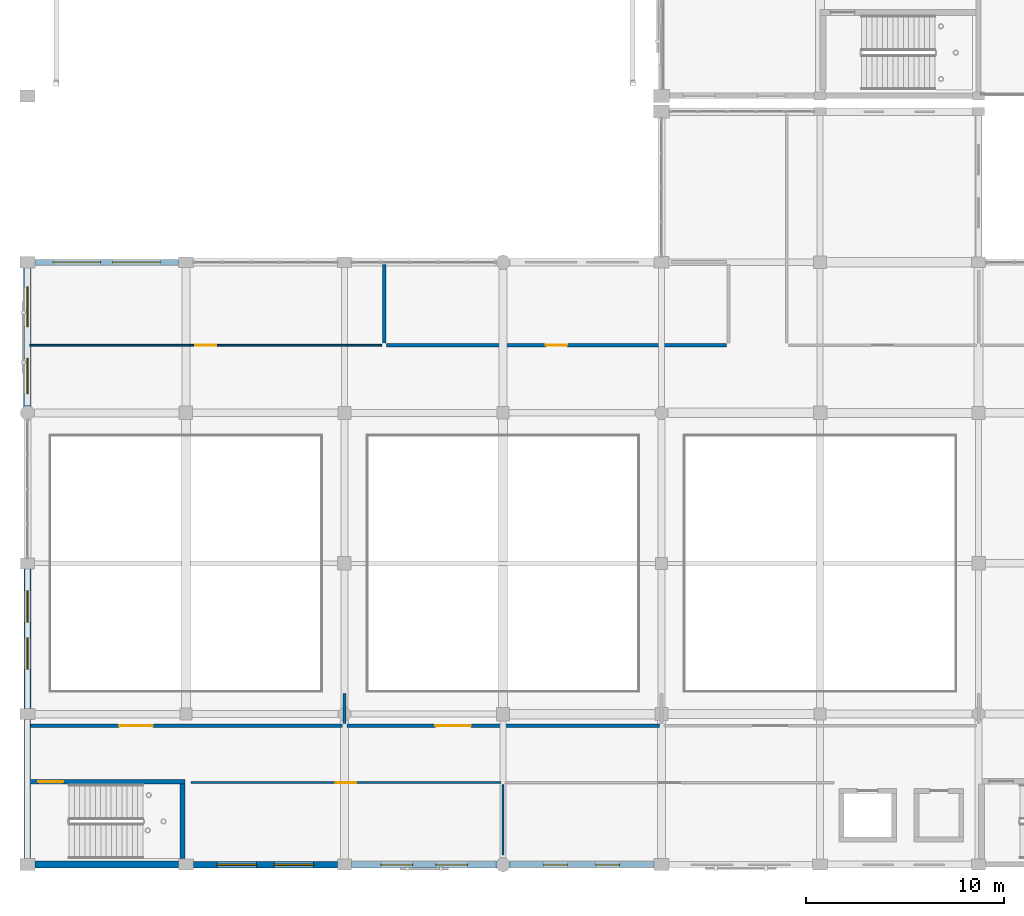
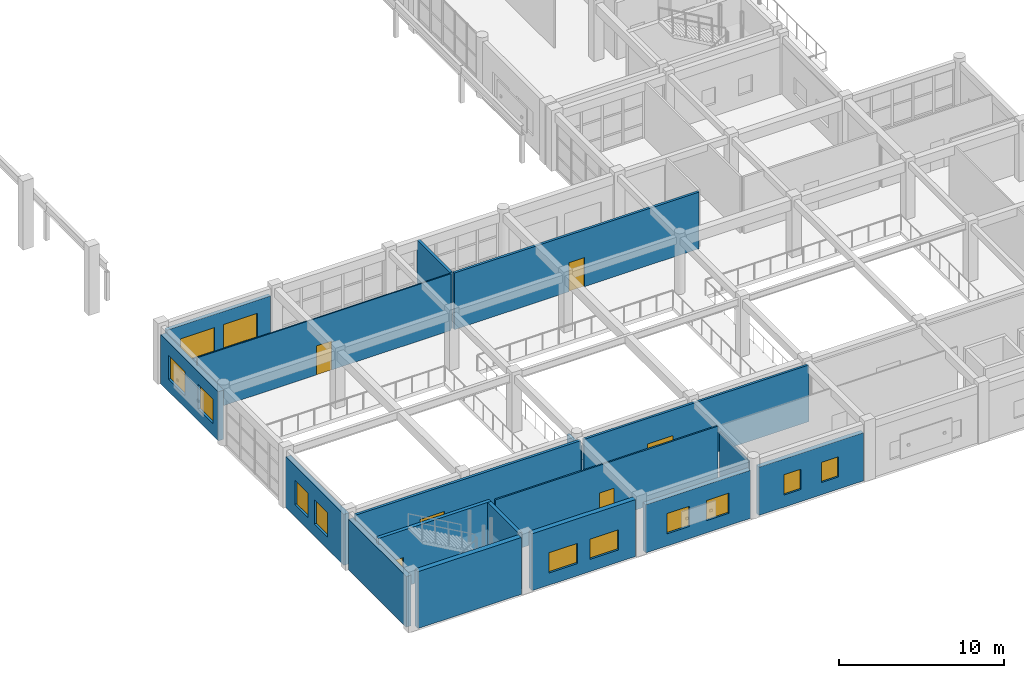
# One storey, part 124 of 160: 18 walls, 12 windows, 6 doors, 18 openings.
"""IFC4 building model written with IfcOpenShell, lengths in metres."""

from ifc_helpers import new_model, si_unit, direction, frame, frame_2d, origin, place, context, subcontext, project, spatial, rectangle, extrude, material, layer, layer_set, type_object, element, fill, save


model = new_model("IFC4")

# Units and contexts
model_context = context("Model", 3, precision=1e-05, world=origin(), true_north=direction((0.0, 1.0)))
body_context = subcontext(model_context, "Body", "Model", "MODEL_VIEW")
ifc_project = project(units=[si_unit("LENGTHUNIT", "METRE"), si_unit("AREAUNIT", "SQUARE_METRE"), si_unit("VOLUMEUNIT", "CUBIC_METRE"), si_unit("PLANEANGLEUNIT", "RADIAN"), si_unit("MASSUNIT", "GRAM", prefix="KILO")], contexts=[model_context])

# Site, building, storey
site_placement = place(None, origin())
site = spatial("IfcSite", under=ifc_project, at=site_placement, CompositionType="ELEMENT")
building_placement = place(site_placement, origin())
building = spatial("IfcBuilding", under=site, at=building_placement, Name="Kharva Crest Polytechnic", CompositionType="ELEMENT")
storey_placement = place(building_placement, frame((0.0, 0.0, 4.5)))
storey = spatial("IfcBuildingStorey", under=building, at=storey_placement, Name="L01", CompositionType="ELEMENT", Elevation=4.5)

# Wall, openings, windows
ifc_material_1 = material(Name="Kiln brick masonry", Category="masonry")
ifc_layer_1 = layer(ifc_material_1, 0.260009765625, Name="Kiln brick masonry")
ifc_layer_set_1 = layer_set([ifc_layer_1], Name="Kiln brick masonry")
wall_type_1 = type_object("IfcWallType", Name="WL-EXT-BRK-260", PredefinedType="SOLIDWALL", material=ifc_layer_set_1)
wall_1_placement = place(storey_placement, frame((7.6298828125, 30.39990234375, 0.0), z_axis=(0.0, 0.0, 1.0), x_axis=(-1.0, 0.0, 0.0)))
wall_1 = element("IfcWall", 1, at=wall_1_placement, inside=storey, type_object=wall_type_1, Name="L01 Exterior Brick Wall 150", PredefinedType="SOLIDWALL", context=body_context, shape_type="SweptSolid", body=[
    extrude(rectangle(XDim=7.259765625, YDim=0.260009765625, at=frame_2d((3.6298828125, 0.0))), origin(), (0.0, 0.0, 1.0), 3.669921875),
])
opening_1_placement = place(wall_1_placement, frame((0.927001953125, 0.0, 0.89990234375)))
opening_1 = element("IfcOpeningElement", 2, at=opening_1_placement, cuts=wall_1, Name="Opening W02", PredefinedType="OPENING", context=body_context, shape_type="SweptSolid", body=[
    extrude(rectangle(XDim=2.39990234375, YDim=1.800048828125, at=frame_2d((1.199951171875, 0.89990234375))), frame((0.0, 0.139892578125, 0.0), z_axis=(0.0, -1.0, 0.0), x_axis=(1.0, 0.0, 0.0)), (0.0, 0.0, 1.0), 0.280029296875),
])
opening_2_placement = place(wall_1_placement, frame((3.93310546875, 0.0, 0.89990234375)))
opening_2 = element("IfcOpeningElement", 3, at=opening_2_placement, cuts=wall_1, Name="Opening W02", PredefinedType="OPENING", context=body_context, shape_type="SweptSolid", body=[
    extrude(rectangle(XDim=2.39990234375, YDim=1.800048828125, at=frame_2d((1.199951171875, 0.89990234375))), frame((0.0, 0.139892578125, 0.0), z_axis=(0.0, -1.0, 0.0), x_axis=(1.0, 0.0, 0.0)), (0.0, 0.0, 1.0), 0.280029296875),
])
ifc_material_2 = material(Name="Anodised aluminium", Category="aluminium")
window_type_1 = type_object("IfcWindowType", Name="WIN-ALU-2400X1800", PartitioningType="SINGLE_PANEL", PredefinedType="WINDOW", material=ifc_material_2)
window_1_placement = place(opening_1_placement, origin())
window_1 = element("IfcWindow", 4, at=window_1_placement, inside=storey, type_object=window_type_1, Name="L01 Exterior Window 192", OverallHeight=1.800048828125, OverallWidth=2.39990234375, PartitioningType="SINGLE_PANEL", PredefinedType="WINDOW", context=body_context, shape_type="SweptSolid", body=[
    extrude(rectangle(XDim=2.39990234375, YDim=1.800048828125, at=frame_2d((1.199951171875, 0.89990234375))), frame((0.0, 0.030029296875, 0.0), z_axis=(0.0, -1.0, 0.0), x_axis=(1.0, 0.0, 0.0)), (0.0, 0.0, 1.0), 0.06005859375),
])
fill(opening_1, window_1)
window_2_placement = place(opening_2_placement, origin())
window_2 = element("IfcWindow", 5, at=window_2_placement, inside=storey, type_object=window_type_1, Name="L01 Exterior Window 193", OverallHeight=1.800048828125, OverallWidth=2.39990234375, PartitioningType="SINGLE_PANEL", PredefinedType="WINDOW", context=body_context, shape_type="SweptSolid", body=[
    extrude(rectangle(XDim=2.39990234375, YDim=1.800048828125, at=frame_2d((1.199951171875, 0.89990234375))), frame((0.0, 0.030029296875, 0.0), z_axis=(0.0, -1.0, 0.0), x_axis=(1.0, 0.0, 0.0)), (0.0, 0.0, 1.0), 0.06005859375),
])
fill(opening_2, window_2)

ifc_layer_2 = layer(ifc_material_1, 0.304931640625, Name="Kiln brick masonry")
ifc_layer_set_2 = layer_set([ifc_layer_2], Name="Kiln brick masonry")
wall_type_2 = type_object("IfcWallType", Name="WL-EXT-BRK-305", PredefinedType="SOLIDWALL", material=ifc_layer_set_2)
wall_2_placement = place(storey_placement, frame((24.302490234375, 0.0, 0.0), z_axis=(0.0, 0.0, 1.0), x_axis=(1.0, 0.0, 0.0)))
wall_2 = element("IfcWall", 6, at=wall_2_placement, inside=storey, type_object=wall_type_2, Name="L01 Exterior Brick Wall 126", PredefinedType="SOLIDWALL", context=body_context, shape_type="SweptSolid", body=[
    extrude(rectangle(XDim=7.327392578125, YDim=0.304931640625, at=frame_2d((3.66357421875, 0.0))), origin(), (0.0, 0.0, 1.0), 3.570068359375),
])
opening_3_placement = place(wall_2_placement, frame((1.7490234375, 0.0, 0.89990234375)))
opening_3 = element("IfcOpeningElement", 7, at=opening_3_placement, cuts=wall_2, Name="Opening W16", PredefinedType="OPENING", context=body_context, shape_type="SweptSolid", body=[
    extrude(rectangle(XDim=1.199951171875, YDim=1.5, at=frame_2d((0.60009765625, 0.75))), frame((0.0, 0.162353515625, 0.0), z_axis=(0.0, -1.0, 0.0), x_axis=(1.0, 0.0, 0.0)), (0.0, 0.0, 1.0), 0.324951171875),
])
opening_4_placement = place(wall_2_placement, frame((4.3779296875, 0.0, 0.89990234375)))
opening_4 = element("IfcOpeningElement", 8, at=opening_4_placement, cuts=wall_2, Name="Opening W16", PredefinedType="OPENING", context=body_context, shape_type="SweptSolid", body=[
    extrude(rectangle(XDim=1.199951171875, YDim=1.5, at=frame_2d((0.60009765625, 0.75))), frame((0.0, 0.162353515625, 0.0), z_axis=(0.0, -1.0, 0.0), x_axis=(1.0, 0.0, 0.0)), (0.0, 0.0, 1.0), 0.324951171875),
])
window_type_2 = type_object("IfcWindowType", Name="WIN-ALU-1200X1500", PartitioningType="SINGLE_PANEL", PredefinedType="WINDOW", material=ifc_material_2)
window_3_placement = place(opening_3_placement, origin())
window_3 = element("IfcWindow", 9, at=window_3_placement, inside=storey, type_object=window_type_2, Name="L01 Exterior Window 158", OverallHeight=1.5, OverallWidth=1.199951171875, PartitioningType="SINGLE_PANEL", PredefinedType="WINDOW", context=body_context, shape_type="SweptSolid", body=[
    extrude(rectangle(XDim=1.199951171875, YDim=1.5, at=frame_2d((0.60009765625, 0.75))), frame((0.0, 0.030029296875, 0.0), z_axis=(0.0, -1.0, 0.0), x_axis=(1.0, 0.0, 0.0)), (0.0, 0.0, 1.0), 0.06005859375),
])
fill(opening_3, window_3)
window_4_placement = place(opening_4_placement, origin())
window_4 = element("IfcWindow", 10, at=window_4_placement, inside=storey, type_object=window_type_2, Name="L01 Exterior Window 159", OverallHeight=1.5, OverallWidth=1.199951171875, PartitioningType="SINGLE_PANEL", PredefinedType="WINDOW", context=body_context, shape_type="SweptSolid", body=[
    extrude(rectangle(XDim=1.199951171875, YDim=1.5, at=frame_2d((0.60009765625, 0.75))), frame((0.0, 0.030029296875, 0.0), z_axis=(0.0, -1.0, 0.0), x_axis=(1.0, 0.0, 0.0)), (0.0, 0.0, 1.0), 0.06005859375),
])
fill(opening_4, window_4)

ifc_layer_3 = layer(ifc_material_1, 0.320068359375, Name="Kiln brick masonry")
ifc_layer_set_3 = layer_set([ifc_layer_3], Name="Kiln brick masonry")
wall_type_3 = type_object("IfcWallType", Name="WL-EXT-BRK-320", PredefinedType="SOLIDWALL", material=ifc_layer_set_3)
wall_3_placement = place(storey_placement, frame((16.35498046875, 0.0, 0.0), z_axis=(0.0, 0.0, 1.0), x_axis=(1.0, 0.0, 0.0)))
wall_3 = element("IfcWall", 11, at=wall_3_placement, inside=storey, type_object=wall_type_3, Name="L01 Exterior Brick Wall 125", PredefinedType="SOLIDWALL", context=body_context, shape_type="SweptSolid", body=[
    extrude(rectangle(XDim=7.342529296875, YDim=0.320068359375, at=frame_2d((3.67138671875, 0.0))), origin(), (0.0, 0.0, 1.0), 3.570068359375),
])
opening_5_placement = place(wall_3_placement, frame((1.488037109375, 0.0, 0.89990234375)))
opening_5 = element("IfcOpeningElement", 12, at=opening_5_placement, cuts=wall_3, Name="Opening W14", PredefinedType="OPENING", context=body_context, shape_type="SweptSolid", body=[
    extrude(rectangle(XDim=1.60009765625, YDim=1.5, at=frame_2d((0.800048828125, 0.75))), frame((0.0, 0.169921875, 0.0), z_axis=(0.0, -1.0, 0.0), x_axis=(1.0, 0.0, 0.0)), (0.0, 0.0, 1.0), 0.340087890625),
])
opening_6_placement = place(wall_3_placement, frame((4.2548828125, 0.0, 0.89990234375)))
opening_6 = element("IfcOpeningElement", 13, at=opening_6_placement, cuts=wall_3, Name="Opening W14", PredefinedType="OPENING", context=body_context, shape_type="SweptSolid", body=[
    extrude(rectangle(XDim=1.60009765625, YDim=1.5, at=frame_2d((0.800048828125, 0.75))), frame((0.0, 0.169921875, 0.0), z_axis=(0.0, -1.0, 0.0), x_axis=(1.0, 0.0, 0.0)), (0.0, 0.0, 1.0), 0.340087890625),
])
window_type_3 = type_object("IfcWindowType", Name="WIN-ALU-1600X1500", PartitioningType="SINGLE_PANEL", PredefinedType="WINDOW", material=ifc_material_2)
window_5_placement = place(opening_5_placement, origin())
window_5 = element("IfcWindow", 14, at=window_5_placement, inside=storey, type_object=window_type_3, Name="L01 Exterior Window 156", OverallHeight=1.5, OverallWidth=1.60009765625, PartitioningType="SINGLE_PANEL", PredefinedType="WINDOW", context=body_context, shape_type="SweptSolid", body=[
    extrude(rectangle(XDim=1.60009765625, YDim=1.5, at=frame_2d((0.800048828125, 0.75))), frame((0.0, 0.030029296875, 0.0), z_axis=(0.0, -1.0, 0.0), x_axis=(1.0, 0.0, 0.0)), (0.0, 0.0, 1.0), 0.06005859375),
])
fill(opening_5, window_5)
window_6_placement = place(opening_6_placement, origin())
window_6 = element("IfcWindow", 15, at=window_6_placement, inside=storey, type_object=window_type_3, Name="L01 Exterior Window 157", OverallHeight=1.5, OverallWidth=1.60009765625, PartitioningType="SINGLE_PANEL", PredefinedType="WINDOW", context=body_context, shape_type="SweptSolid", body=[
    extrude(rectangle(XDim=1.60009765625, YDim=1.5, at=frame_2d((0.800048828125, 0.75))), frame((0.0, 0.030029296875, 0.0), z_axis=(0.0, -1.0, 0.0), x_axis=(1.0, 0.0, 0.0)), (0.0, 0.0, 1.0), 0.06005859375),
])
fill(opening_6, window_6)

ifc_layer_4 = layer(ifc_material_1, 0.3349609375, Name="Kiln brick masonry")
ifc_layer_set_4 = layer_set([ifc_layer_4], Name="Kiln brick masonry")
wall_type_4 = type_object("IfcWallType", Name="WL-EXT-BRK-335", PredefinedType="SOLIDWALL", material=ifc_layer_set_4)
wall_4_placement = place(storey_placement, frame((8.3701171875, 0.0, 0.0), z_axis=(0.0, 0.0, 1.0), x_axis=(1.0, 0.0, 0.0)))
wall_4 = element("IfcWall", 16, at=wall_4_placement, inside=storey, type_object=wall_type_4, Name="L01 Exterior Brick Wall 124", PredefinedType="SOLIDWALL", context=body_context, shape_type="SweptSolid", body=[
    extrude(rectangle(XDim=7.27490234375, YDim=0.3349609375, at=frame_2d((3.637451171875, 0.0))), origin(), (0.0, 0.0, 1.0), 4.219970703125),
])
opening_7_placement = place(wall_4_placement, frame((1.197998046875, 0.0, 0.89990234375)))
opening_7 = element("IfcOpeningElement", 17, at=opening_7_placement, cuts=wall_4, Name="Opening W12", PredefinedType="OPENING", context=body_context, shape_type="SweptSolid", body=[
    extrude(rectangle(XDim=2.0, YDim=1.5, at=frame_2d((1.0, 0.75))), frame((0.0, 0.177490234375, 0.0), z_axis=(0.0, -1.0, 0.0), x_axis=(1.0, 0.0, 0.0)), (0.0, 0.0, 1.0), 0.35498046875),
])
opening_8_placement = place(wall_4_placement, frame((4.076904296875, 0.0, 0.89990234375)))
opening_8 = element("IfcOpeningElement", 18, at=opening_8_placement, cuts=wall_4, Name="Opening W12", PredefinedType="OPENING", context=body_context, shape_type="SweptSolid", body=[
    extrude(rectangle(XDim=2.0, YDim=1.5, at=frame_2d((1.0, 0.75))), frame((0.0, 0.177490234375, 0.0), z_axis=(0.0, -1.0, 0.0), x_axis=(1.0, 0.0, 0.0)), (0.0, 0.0, 1.0), 0.35498046875),
])
window_type_4 = type_object("IfcWindowType", Name="WIN-ALU-2000X1500", PartitioningType="SINGLE_PANEL", PredefinedType="WINDOW", material=ifc_material_2)
window_7_placement = place(opening_7_placement, origin())
window_7 = element("IfcWindow", 19, at=window_7_placement, inside=storey, type_object=window_type_4, Name="L01 Exterior Window 154", OverallHeight=1.5, OverallWidth=2.0, PartitioningType="SINGLE_PANEL", PredefinedType="WINDOW", context=body_context, shape_type="SweptSolid", body=[
    extrude(rectangle(XDim=2.0, YDim=1.5, at=frame_2d((1.0, 0.75))), frame((0.0, 0.030029296875, 0.0), z_axis=(0.0, -1.0, 0.0), x_axis=(1.0, 0.0, 0.0)), (0.0, 0.0, 1.0), 0.06005859375),
])
fill(opening_7, window_7)
window_8_placement = place(opening_8_placement, origin())
window_8 = element("IfcWindow", 20, at=window_8_placement, inside=storey, type_object=window_type_4, Name="L01 Exterior Window 155", OverallHeight=1.5, OverallWidth=2.0, PartitioningType="SINGLE_PANEL", PredefinedType="WINDOW", context=body_context, shape_type="SweptSolid", body=[
    extrude(rectangle(XDim=2.0, YDim=1.5, at=frame_2d((1.0, 0.75))), frame((0.0, 0.030029296875, 0.0), z_axis=(0.0, -1.0, 0.0), x_axis=(1.0, 0.0, 0.0)), (0.0, 0.0, 1.0), 0.06005859375),
])
fill(opening_8, window_8)

# Walls
wall_5_placement = place(storey_placement, frame((0.0, 7.330078125, 0.0), z_axis=(0.0, 0.0, 1.0), x_axis=(0.0, -1.0, 0.0)))
element("IfcWall", 21, at=wall_5_placement, inside=storey, type_object=wall_type_4, Name="L01 Exterior Brick Wall 153", PredefinedType="SOLIDWALL", context=body_context, shape_type="SweptSolid", body=[
    extrude(rectangle(XDim=7.03515625, YDim=0.3349609375, at=frame_2d((3.517578125, 0.0))), origin(), (0.0, 0.0, 1.0), 3.760009765625),
])
ifc_layer_5 = layer(ifc_material_1, 0.35009765625, Name="Kiln brick masonry")
ifc_layer_set_5 = layer_set([ifc_layer_5], Name="Kiln brick masonry")
wall_type_5 = type_object("IfcWallType", Name="WL-EXT-BRK-350", PredefinedType="SOLIDWALL", material=ifc_layer_set_5)
wall_6_placement = place(storey_placement, frame((0.3701171875, 0.0, 0.0), z_axis=(0.0, 0.0, 1.0), x_axis=(1.0, 0.0, 0.0)))
element("IfcWall", 22, at=wall_6_placement, inside=storey, type_object=wall_type_5, Name="L01 Exterior Brick Wall 123", PredefinedType="SOLIDWALL", context=body_context, shape_type="SweptSolid", body=[
    extrude(rectangle(XDim=7.259765625, YDim=0.35009765625, at=frame_2d((3.6298828125, 0.0))), origin(), (0.0, 0.0, 1.0), 4.219970703125),
])

# Wall, openings, windows
wall_7_placement = place(storey_placement, frame((0.0, 14.929931640625, 0.0), z_axis=(0.0, 0.0, 1.0), x_axis=(0.0, -1.0, 0.0)))
wall_7 = element("IfcWall", 23, at=wall_7_placement, inside=storey, type_object=wall_type_5, Name="L01 Exterior Brick Wall 152", PredefinedType="SOLIDWALL", context=body_context, shape_type="SweptSolid", body=[
    extrude(rectangle(XDim=7.059814453125, YDim=0.35009765625, at=frame_2d((3.52978515625, 0.0))), origin(), (0.0, 0.0, 1.0), 3.780029296875),
])
opening_9_placement = place(wall_7_placement, frame((1.10009765625, 0.0, 0.89990234375)))
opening_9 = element("IfcOpeningElement", 24, at=opening_9_placement, cuts=wall_7, Name="Opening W06", PredefinedType="OPENING", context=body_context, shape_type="SweptSolid", body=[
    extrude(rectangle(XDim=1.60009765625, YDim=1.800048828125, at=frame_2d((0.800048828125, 0.89990234375))), frame((0.0, 0.18505859375, 0.0), z_axis=(0.0, -1.0, 0.0), x_axis=(1.0, 0.0, 0.0)), (0.0, 0.0, 1.0), 0.3701171875),
])
opening_10_placement = place(wall_7_placement, frame((3.47998046875, 0.0, 0.89990234375)))
opening_10 = element("IfcOpeningElement", 25, at=opening_10_placement, cuts=wall_7, Name="Opening W06", PredefinedType="OPENING", context=body_context, shape_type="SweptSolid", body=[
    extrude(rectangle(XDim=1.60009765625, YDim=1.800048828125, at=frame_2d((0.800048828125, 0.89990234375))), frame((0.0, 0.18505859375, 0.0), z_axis=(0.0, -1.0, 0.0), x_axis=(1.0, 0.0, 0.0)), (0.0, 0.0, 1.0), 0.3701171875),
])
window_type_5 = type_object("IfcWindowType", Name="WIN-ALU-1600X1800", PartitioningType="SINGLE_PANEL", PredefinedType="WINDOW", material=ifc_material_2)
window_9_placement = place(opening_9_placement, origin())
window_9 = element("IfcWindow", 26, at=window_9_placement, inside=storey, type_object=window_type_5, Name="L01 Exterior Window 196", OverallHeight=1.800048828125, OverallWidth=1.60009765625, PartitioningType="SINGLE_PANEL", PredefinedType="WINDOW", context=body_context, shape_type="SweptSolid", body=[
    extrude(rectangle(XDim=1.60009765625, YDim=1.800048828125, at=frame_2d((0.800048828125, 0.89990234375))), frame((0.0, 0.030029296875, 0.0), z_axis=(0.0, -1.0, 0.0), x_axis=(1.0, 0.0, 0.0)), (0.0, 0.0, 1.0), 0.06005859375),
])
fill(opening_9, window_9)
window_10_placement = place(opening_10_placement, origin())
window_10 = element("IfcWindow", 27, at=window_10_placement, inside=storey, type_object=window_type_5, Name="L01 Exterior Window 197", OverallHeight=1.800048828125, OverallWidth=1.60009765625, PartitioningType="SINGLE_PANEL", PredefinedType="WINDOW", context=body_context, shape_type="SweptSolid", body=[
    extrude(rectangle(XDim=1.60009765625, YDim=1.800048828125, at=frame_2d((0.800048828125, 0.89990234375))), frame((0.0, 0.030029296875, 0.0), z_axis=(0.0, -1.0, 0.0), x_axis=(1.0, 0.0, 0.0)), (0.0, 0.0, 1.0), 0.06005859375),
])
fill(opening_10, window_10)

ifc_layer_6 = layer(ifc_material_1, 0.3798828125, Name="Kiln brick masonry")
ifc_layer_set_6 = layer_set([ifc_layer_6], Name="Kiln brick masonry")
wall_type_6 = type_object("IfcWallType", Name="WL-EXT-BRK-380", PredefinedType="SOLIDWALL", material=ifc_layer_set_6)
wall_8_placement = place(storey_placement, frame((0.0, 30.10498046875, 0.0), z_axis=(0.0, 0.0, 1.0), x_axis=(0.0, -1.0, 0.0)))
wall_8 = element("IfcWall", 28, at=wall_8_placement, inside=storey, type_object=wall_type_6, Name="L01 Exterior Brick Wall 151", PredefinedType="SOLIDWALL", context=body_context, shape_type="SweptSolid", body=[
    extrude(rectangle(XDim=7.002685546875, YDim=0.3798828125, at=frame_2d((3.50146484375, 0.0))), origin(), (0.0, 0.0, 1.0), 3.639892578125),
])
opening_11_placement = place(wall_8_placement, frame((0.947998046875, 0.0, 0.89990234375)))
opening_11 = element("IfcOpeningElement", 29, at=opening_11_placement, cuts=wall_8, Name="Opening W04", PredefinedType="OPENING", context=body_context, shape_type="SweptSolid", body=[
    extrude(rectangle(XDim=2.0, YDim=1.800048828125, at=frame_2d((1.0, 0.89990234375))), frame((0.0, 0.199951171875, 0.0), z_axis=(0.0, -1.0, 0.0), x_axis=(1.0, 0.0, 0.0)), (0.0, 0.0, 1.0), 0.39990234375),
])
opening_12_placement = place(wall_8_placement, frame((4.549072265625, 0.0, 0.89990234375)))
opening_12 = element("IfcOpeningElement", 30, at=opening_12_placement, cuts=wall_8, Name="Opening W05", PredefinedType="OPENING", context=body_context, shape_type="SweptSolid", body=[
    extrude(rectangle(XDim=1.800048828125, YDim=1.800048828125, at=frame_2d((0.89990234375, 0.89990234375))), frame((0.0, 0.199951171875, 0.0), z_axis=(0.0, -1.0, 0.0), x_axis=(1.0, 0.0, 0.0)), (0.0, 0.0, 1.0), 0.39990234375),
])
window_type_6 = type_object("IfcWindowType", Name="WIN-ALU-1800X1800", PartitioningType="SINGLE_PANEL", PredefinedType="WINDOW", material=ifc_material_2)
window_11_placement = place(opening_12_placement, origin())
window_11 = element("IfcWindow", 31, at=window_11_placement, inside=storey, type_object=window_type_6, Name="L01 Exterior Window 195", OverallHeight=1.800048828125, OverallWidth=1.800048828125, PartitioningType="SINGLE_PANEL", PredefinedType="WINDOW", context=body_context, shape_type="SweptSolid", body=[
    extrude(rectangle(XDim=1.800048828125, YDim=1.800048828125, at=frame_2d((0.89990234375, 0.89990234375))), frame((0.0, 0.030029296875, 0.0), z_axis=(0.0, -1.0, 0.0), x_axis=(1.0, 0.0, 0.0)), (0.0, 0.0, 1.0), 0.06005859375),
])
fill(opening_12, window_11)
window_type_7 = type_object("IfcWindowType", Name="WIN-ALU-2000X1800", PartitioningType="SINGLE_PANEL", PredefinedType="WINDOW", material=ifc_material_2)
window_12_placement = place(opening_11_placement, origin())
window_12 = element("IfcWindow", 32, at=window_12_placement, inside=storey, type_object=window_type_7, Name="L01 Exterior Window 194", OverallHeight=1.800048828125, OverallWidth=2.0, PartitioningType="SINGLE_PANEL", PredefinedType="WINDOW", context=body_context, shape_type="SweptSolid", body=[
    extrude(rectangle(XDim=2.0, YDim=1.800048828125, at=frame_2d((1.0, 0.89990234375))), frame((0.0, 0.030029296875, 0.0), z_axis=(0.0, -1.0, 0.0), x_axis=(1.0, 0.0, 0.0)), (0.0, 0.0, 1.0), 0.06005859375),
])
fill(opening_11, window_12)

# Wall, opening, door
ifc_layer_7 = layer(ifc_material_1, 0.090087890625, Name="Kiln brick masonry")
ifc_layer_set_7 = layer_set([ifc_layer_7], Name="Kiln brick masonry")
wall_type_7 = type_object("IfcWallType", Name="WL-PART-090", PredefinedType="PARTITIONING", material=ifc_layer_set_7)
wall_9_placement = place(storey_placement, frame((0.110107421875, 26.2099609375, 0.0), z_axis=(0.0, 0.0, 1.0), x_axis=(1.0, 0.0, 0.0)))
wall_9 = element("IfcWall", 33, at=wall_9_placement, inside=storey, type_object=wall_type_7, Name="L01 Interior Partition 139", PredefinedType="PARTITIONING", context=body_context, shape_type="SweptSolid", body=[
    extrude(rectangle(XDim=17.77978515625, YDim=0.090087890625, at=frame_2d((8.889892578125, 0.0))), origin(), (0.0, 0.0, 1.0), 4.199951171875),
])
opening_13_placement = place(wall_9_placement, frame((8.3701171875, 0.0, 0.0)))
opening_13 = element("IfcOpeningElement", 34, at=opening_13_placement, cuts=wall_9, Name="Opening ID11", PredefinedType="OPENING", context=body_context, shape_type="SweptSolid", body=[
    extrude(rectangle(XDim=1.0400390625, YDim=2.14990234375, at=frame_2d((0.52001953125, 1.074951171875))), frame((0.0, 0.054931640625, 0.0), z_axis=(0.0, -1.0, 0.0), x_axis=(1.0, 0.0, 0.0)), (0.0, 0.0, 1.0), 0.110107421875),
])
ifc_material_3 = material(Name="Teak timber", Category="wood")
door_type_1 = type_object("IfcDoorType", Name="DR-CLS-1040X2150", OperationType="NOTDEFINED", PredefinedType="DOOR", material=ifc_material_3)
door_1_placement = place(opening_13_placement, origin())
door_1 = element("IfcDoor", 35, at=door_1_placement, inside=storey, type_object=door_type_1, Name="L01 Seminar Room L01-C Door", OperationType="SINGLE_SWING_LEFT", OverallHeight=2.14990234375, OverallWidth=1.0400390625, PredefinedType="DOOR", context=body_context, shape_type="SweptSolid", body=[
    extrude(rectangle(XDim=1.0400390625, YDim=2.14990234375, at=frame_2d((0.52001953125, 1.074951171875))), frame((0.0, 0.02490234375, 0.0), z_axis=(0.0, -1.0, 0.0), x_axis=(1.0, 0.0, 0.0)), (0.0, 0.0, 1.0), 0.050048828125),
])
fill(opening_13, door_1)

# Wall
ifc_layer_8 = layer(ifc_material_1, 0.10009765625, Name="Kiln brick masonry")
ifc_layer_set_8 = layer_set([ifc_layer_8], Name="Kiln brick masonry")
wall_type_8 = type_object("IfcWallType", Name="WL-PART-100", PredefinedType="PARTITIONING", material=ifc_layer_set_8)
wall_10_placement = place(storey_placement, frame((24.0, 0.489990234375, 0.0), z_axis=(0.0, 0.0, 1.0), x_axis=(0.0, 1.0, 0.0)))
element("IfcWall", 36, at=wall_10_placement, inside=storey, type_object=wall_type_8, Name="L01 Interior Partition 128", PredefinedType="PARTITIONING", context=body_context, shape_type="SweptSolid", body=[
    extrude(rectangle(XDim=3.5400390625, YDim=0.10009765625, at=frame_2d((1.77001953125, 0.0))), origin(), (0.0, 0.0, 1.0), 3.77001953125),
])

# Wall, opening, door
ifc_layer_9 = layer(ifc_material_1, 0.110107421875, Name="Kiln brick masonry")
ifc_layer_set_9 = layer_set([ifc_layer_9], Name="Kiln brick masonry")
wall_type_9 = type_object("IfcWallType", Name="WL-PART-110", PredefinedType="PARTITIONING", material=ifc_layer_set_9)
wall_11_placement = place(storey_placement, frame((8.260009765625, 4.139892578125, 0.0), z_axis=(0.0, 0.0, 1.0), x_axis=(1.0, 0.0, 0.0)))
wall_11 = element("IfcWall", 37, at=wall_11_placement, inside=storey, type_object=wall_type_9, Name="L01 Interior Partition 127", PredefinedType="PARTITIONING", context=body_context, shape_type="SweptSolid", body=[
    extrude(rectangle(XDim=15.6298828125, YDim=0.110107421875, at=frame_2d((7.81494140625, 0.0))), origin(), (0.0, 0.0, 1.0), 4.199951171875),
])
opening_14_placement = place(wall_11_placement, frame((7.294921875, 0.0, 0.0)))
opening_14 = element("IfcOpeningElement", 38, at=opening_14_placement, cuts=wall_11, Name="Opening ID11", PredefinedType="OPENING", context=body_context, shape_type="SweptSolid", body=[
    extrude(rectangle(XDim=1.0400390625, YDim=2.14990234375, at=frame_2d((0.52001953125, 1.074951171875))), frame((0.0, 0.06494140625, 0.0), z_axis=(0.0, -1.0, 0.0), x_axis=(1.0, 0.0, 0.0)), (0.0, 0.0, 1.0), 0.130126953125),
])
door_2_placement = place(opening_14_placement, origin())
door_2 = element("IfcDoor", 39, at=door_2_placement, inside=storey, type_object=door_type_1, Name="L01 Classroom L01-A Door", OperationType="SINGLE_SWING_RIGHT", OverallHeight=2.14990234375, OverallWidth=1.0400390625, PredefinedType="DOOR", context=body_context, shape_type="SweptSolid", body=[
    extrude(rectangle(XDim=1.0400390625, YDim=2.14990234375, at=frame_2d((0.52001953125, 1.074951171875))), frame((0.0, 0.02490234375, 0.0), z_axis=(0.0, -1.0, 0.0), x_axis=(1.0, 0.0, 0.0)), (0.0, 0.0, 1.0), 0.050048828125),
])
fill(opening_14, door_2)

ifc_layer_10 = layer(ifc_material_1, 0.159912109375, Name="Kiln brick masonry")
ifc_layer_set_10 = layer_set([ifc_layer_10], Name="Kiln brick masonry")
wall_type_10 = type_object("IfcWallType", Name="WL-PART-160", PredefinedType="PARTITIONING", material=ifc_layer_set_10)
wall_12_placement = place(storey_placement, frame((16.1201171875, 7.010009765625, 0.0), z_axis=(0.0, 0.0, 1.0), x_axis=(1.0, 0.0, 0.0)))
wall_12 = element("IfcWall", 40, at=wall_12_placement, inside=storey, type_object=wall_type_10, Name="L01 Interior Partition 132", PredefinedType="PARTITIONING", context=body_context, shape_type="SweptSolid", body=[
    extrude(rectangle(XDim=15.769775390625, YDim=0.159912109375, at=frame_2d((7.884765625, 0.0))), origin(), (0.0, 0.0, 1.0), 4.199951171875),
])
opening_15_placement = place(wall_12_placement, frame((4.4619140625, 0.0, 0.0)))
opening_15 = element("IfcOpeningElement", 41, at=opening_15_placement, cuts=wall_12, Name="Opening ID1", PredefinedType="OPENING", context=body_context, shape_type="SweptSolid", body=[
    extrude(rectangle(XDim=1.800048828125, YDim=2.300048828125, at=frame_2d((0.89990234375, 1.14990234375))), frame((0.0, 0.08984375, 0.0), z_axis=(0.0, -1.0, 0.0), x_axis=(1.0, 0.0, 0.0)), (0.0, 0.0, 1.0), 0.179931640625),
])
door_type_2 = type_object("IfcDoorType", Name="DR-LECT-DBL-1800X2300", OperationType="NOTDEFINED", PredefinedType="DOOR", material=ifc_material_3)
door_3_placement = place(opening_15_placement, origin())
door_3 = element("IfcDoor", 42, at=door_3_placement, inside=storey, type_object=door_type_2, Name="L01 Lecture Theatre Upper Tier 2 Door", OperationType="DOUBLE_DOOR_SINGLE_SWING", OverallHeight=2.300048828125, OverallWidth=1.800048828125, PredefinedType="DOOR", context=body_context, shape_type="SweptSolid", body=[
    extrude(rectangle(XDim=1.800048828125, YDim=2.300048828125, at=frame_2d((0.89990234375, 1.14990234375))), frame((0.0, 0.02490234375, 0.0), z_axis=(0.0, -1.0, 0.0), x_axis=(1.0, 0.0, 0.0)), (0.0, 0.0, 1.0), 0.050048828125),
])
fill(opening_15, door_3)

# Wall
ifc_layer_11 = layer(ifc_material_1, 0.169921875, Name="Kiln brick masonry")
ifc_layer_set_11 = layer_set([ifc_layer_11], Name="Kiln brick masonry")
wall_type_11 = type_object("IfcWallType", Name="WL-PART-170", PredefinedType="PARTITIONING", material=ifc_layer_set_11)
wall_13_placement = place(storey_placement, frame((16.0, 7.1201171875, 0.0), z_axis=(0.0, 0.0, 1.0), x_axis=(0.0, 1.0, 0.0)))
element("IfcWall", 43, at=wall_13_placement, inside=storey, type_object=wall_type_11, Name="L01 Interior Partition 131", PredefinedType="PARTITIONING", context=body_context, shape_type="SweptSolid", body=[
    extrude(rectangle(XDim=1.519775390625, YDim=0.169921875, at=frame_2d((0.759765625, 0.0))), origin(), (0.0, 0.0, 1.0), 3.639892578125),
])

# Wall, opening, door
wall_14_placement = place(storey_placement, frame((18.1201171875, 26.2099609375, 0.0), z_axis=(0.0, 0.0, 1.0), x_axis=(1.0, 0.0, 0.0)))
wall_14 = element("IfcWall", 44, at=wall_14_placement, inside=storey, type_object=wall_type_11, Name="L01 Interior Partition 141", PredefinedType="PARTITIONING", context=body_context, shape_type="SweptSolid", body=[
    extrude(rectangle(XDim=17.159912109375, YDim=0.169921875, at=frame_2d((8.580078125, 0.0))), origin(), (0.0, 0.0, 1.0), 4.199951171875),
])
opening_16_placement = place(wall_14_placement, frame((8.0400390625, 0.0, 0.0)))
opening_16 = element("IfcOpeningElement", 45, at=opening_16_placement, cuts=wall_14, Name="Opening ID10", PredefinedType="OPENING", context=body_context, shape_type="SweptSolid", body=[
    extrude(rectangle(XDim=1.080078125, YDim=2.14990234375, at=frame_2d((0.5400390625, 1.074951171875))), frame((0.0, 0.094970703125, 0.0), z_axis=(0.0, -1.0, 0.0), x_axis=(1.0, 0.0, 0.0)), (0.0, 0.0, 1.0), 0.18994140625),
])
door_type_3 = type_object("IfcDoorType", Name="DR-CLS-1080X2150", OperationType="NOTDEFINED", PredefinedType="DOOR", material=ifc_material_3)
door_4_placement = place(opening_16_placement, origin())
door_4 = element("IfcDoor", 46, at=door_4_placement, inside=storey, type_object=door_type_3, Name="L01 Seminar Room L01-D Door", OperationType="SINGLE_SWING_RIGHT", OverallHeight=2.14990234375, OverallWidth=1.080078125, PredefinedType="DOOR", context=body_context, shape_type="SweptSolid", body=[
    extrude(rectangle(XDim=1.080078125, YDim=2.14990234375, at=frame_2d((0.5400390625, 1.074951171875))), frame((0.0, 0.02490234375, 0.0), z_axis=(0.0, -1.0, 0.0), x_axis=(1.0, 0.0, 0.0)), (0.0, 0.0, 1.0), 0.050048828125),
])
fill(opening_16, door_4)

ifc_layer_12 = layer(ifc_material_1, 0.179931640625, Name="Kiln brick masonry")
ifc_layer_set_12 = layer_set([ifc_layer_12], Name="Kiln brick masonry")
wall_type_12 = type_object("IfcWallType", Name="WL-PART-180", PredefinedType="PARTITIONING", material=ifc_layer_set_12)
wall_15_placement = place(storey_placement, frame((0.110107421875, 7.010009765625, 0.0), z_axis=(0.0, 0.0, 1.0), x_axis=(1.0, 0.0, 0.0)))
wall_15 = element("IfcWall", 47, at=wall_15_placement, inside=storey, type_object=wall_type_12, Name="L01 Interior Partition 130", PredefinedType="PARTITIONING", context=body_context, shape_type="SweptSolid", body=[
    extrude(rectangle(XDim=15.77978515625, YDim=0.179931640625, at=frame_2d((7.889892578125, 0.0))), origin(), (0.0, 0.0, 1.0), 4.199951171875),
])
opening_17_placement = place(wall_15_placement, frame((4.514892578125, 0.0, 0.0)))
opening_17 = element("IfcOpeningElement", 48, at=opening_17_placement, cuts=wall_15, Name="Opening ID2", PredefinedType="OPENING", context=body_context, shape_type="SweptSolid", body=[
    extrude(rectangle(XDim=1.699951171875, YDim=2.300048828125, at=frame_2d((0.85009765625, 1.14990234375))), frame((0.0, 0.099853515625, 0.0), z_axis=(0.0, -1.0, 0.0), x_axis=(1.0, 0.0, 0.0)), (0.0, 0.0, 1.0), 0.199951171875),
])
door_type_4 = type_object("IfcDoorType", Name="DR-LECT-DBL-1700X2300", OperationType="NOTDEFINED", PredefinedType="DOOR", material=ifc_material_3)
door_5_placement = place(opening_17_placement, origin())
door_5 = element("IfcDoor", 49, at=door_5_placement, inside=storey, type_object=door_type_4, Name="L01 Lecture Theatre Upper Tier 1 Door", OperationType="DOUBLE_DOOR_SINGLE_SWING", OverallHeight=2.300048828125, OverallWidth=1.699951171875, PredefinedType="DOOR", context=body_context, shape_type="SweptSolid", body=[
    extrude(rectangle(XDim=1.699951171875, YDim=2.300048828125, at=frame_2d((0.85009765625, 1.14990234375))), frame((0.0, 0.02490234375, 0.0), z_axis=(0.0, -1.0, 0.0), x_axis=(1.0, 0.0, 0.0)), (0.0, 0.0, 1.0), 0.050048828125),
])
fill(opening_17, door_5)

# Wall
wall_16_placement = place(storey_placement, frame((18.0, 26.320068359375, 0.0), z_axis=(0.0, 0.0, 1.0), x_axis=(0.0, 1.0, 0.0)))
element("IfcWall", 50, at=wall_16_placement, inside=storey, type_object=wall_type_12, Name="L01 Interior Partition 140", PredefinedType="PARTITIONING", context=body_context, shape_type="SweptSolid", body=[
    extrude(rectangle(XDim=3.969970703125, YDim=0.179931640625, at=frame_2d((1.98486328125, 0.0))), origin(), (0.0, 0.0, 1.0), 4.199951171875),
])

# Wall, opening, door
ifc_material_4 = material(Name="Concrete C40/50", Category="concrete")
ifc_layer_13 = layer(ifc_material_4, 0.25, Name="Concrete C40/50")
ifc_layer_set_13 = layer_set([ifc_layer_13], Name="Concrete C40/50")
wall_type_13 = type_object("IfcWallType", Name="WL-SHEAR-SW1-250", PredefinedType="SHEAR", material=ifc_layer_set_13)
wall_17_placement = place(storey_placement, frame((0.050048828125, 4.18505859375, 0.0), z_axis=(0.0, 0.0, 1.0), x_axis=(1.0, 0.0, 0.0)))
wall_17 = element("IfcWall", 51, at=wall_17_placement, inside=storey, type_object=wall_type_13, Name="L01 West Lecture Wing Stair C10 North Shear Wall", PredefinedType="SHEAR", context=body_context, shape_type="SweptSolid", body=[
    extrude(rectangle(XDim=7.89990234375, YDim=0.25, at=frame_2d((3.949951171875, 0.0))), origin(), (0.0, 0.0, 1.0), 4.219970703125),
])
opening_18_placement = place(wall_17_placement, frame((0.5, 0.0, 0.0)))
opening_18 = element("IfcOpeningElement", 52, at=opening_18_placement, cuts=wall_17, Name="Opening FD1B", PredefinedType="OPENING", context=body_context, shape_type="SweptSolid", body=[
    extrude(rectangle(XDim=1.25, YDim=2.199951171875, at=frame_2d((0.625, 1.10009765625))), frame((0.0, 0.135009765625, 0.0), z_axis=(0.0, -1.0, 0.0), x_axis=(1.0, 0.0, 0.0)), (0.0, 0.0, 1.0), 0.27001953125),
])
door_type_5 = type_object("IfcDoorType", Name="DR-STAIR-1250X2200", OperationType="NOTDEFINED", PredefinedType="DOOR", material=ifc_material_3)
door_6_placement = place(opening_18_placement, origin())
door_6 = element("IfcDoor", 53, at=door_6_placement, inside=storey, type_object=door_type_5, Name="L01 ST-10 Stair Door", OperationType="SINGLE_SWING_RIGHT", OverallHeight=2.199951171875, OverallWidth=1.25, PredefinedType="DOOR", context=body_context, shape_type="SweptSolid", body=[
    extrude(rectangle(XDim=1.25, YDim=2.199951171875, at=frame_2d((0.625, 1.10009765625))), frame((0.0, 0.02490234375, 0.0), z_axis=(0.0, -1.0, 0.0), x_axis=(1.0, 0.0, 0.0)), (0.0, 0.0, 1.0), 0.050048828125),
])
fill(opening_18, door_6)

# Wall
wall_18_placement = place(storey_placement, frame((7.824951171875, 0.300048828125, 0.0), z_axis=(0.0, 0.0, 1.0), x_axis=(0.0, 1.0, 0.0)))
element("IfcWall", 54, at=wall_18_placement, inside=storey, type_object=wall_type_13, Name="L01 West Lecture Wing Stair C10 East Shear Wall", PredefinedType="SHEAR", context=body_context, shape_type="SweptSolid", body=[
    extrude(rectangle(XDim=3.760009765625, YDim=0.25, at=frame_2d((1.8798828125, 0.0))), origin(), (0.0, 0.0, 1.0), 4.219970703125),
])

save(model, "model.ifc")
